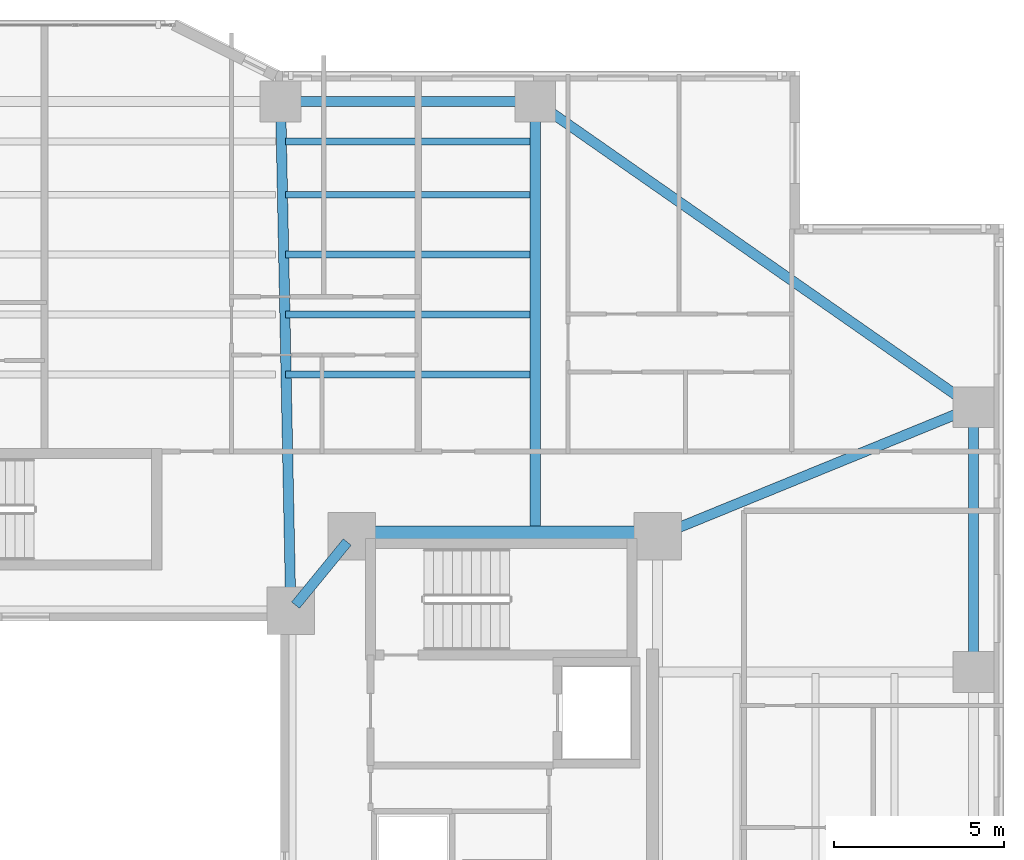
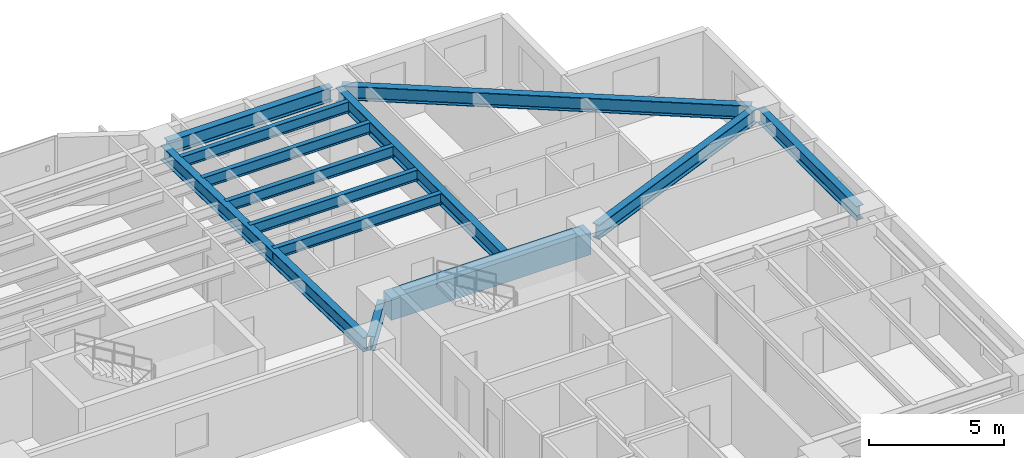
# One storey, part 7 of 21: 13 beams.
"""IFC4 building model written with IfcOpenShell, lengths in metres."""

from ifc_helpers import new_model, si_unit, direction, frame, origin, origin_2d, place, context, subcontext, project, spatial, rectangle, i_section, extrude, material, material_profile, profile_set, type_object, element, save


model = new_model("IFC4")

# Units and contexts
model_context = context("Model", 3, precision=1e-05, world=origin(), true_north=direction((0.0, 1.0)))
body_context = subcontext(model_context, "Body", "Model", "MODEL_VIEW")
ifc_project = project(units=[si_unit("LENGTHUNIT", "METRE"), si_unit("AREAUNIT", "SQUARE_METRE"), si_unit("VOLUMEUNIT", "CUBIC_METRE"), si_unit("PLANEANGLEUNIT", "RADIAN"), si_unit("MASSUNIT", "GRAM", prefix="KILO")], contexts=[model_context])

# Site, building, storey
site_placement = place(None, origin())
site = spatial("IfcSite", under=ifc_project, at=site_placement, CompositionType="ELEMENT")
building_placement = place(site_placement, origin())
building = spatial("IfcBuilding", under=site, at=building_placement, Name="Tarnavaz Court Tower", CompositionType="ELEMENT")
storey_placement = place(building_placement, frame((0.0, 0.0, 24.0)))
storey = spatial("IfcBuildingStorey", under=building, at=storey_placement, Name="L05", CompositionType="ELEMENT", Elevation=24.0)

# Beams
ifc_material_1 = material(Name="Concrete C60/75", Category="concrete")
ifc_material_profile_1 = material_profile(ifc_material_1, rectangle(XDim=0.60009765625, YDim=1.0, at=origin_2d()), Name="RC 600X1000")
ifc_profile_set_1 = profile_set([ifc_material_profile_1], Name="Concrete C60/75")
beam_type_1 = type_object("IfcBeamType", Name="BM-CB1000", PredefinedType="LINTEL", material=ifc_profile_set_1)
beam_1_placement = place(storey_placement, frame((18.3798828125, 10.0, 2.60009765625), z_axis=(-1.0, 0.0, 0.0), x_axis=(0.0, -1.0, 0.0)))
element("IfcBeam", 1, at=beam_1_placement, inside=storey, type_object=beam_type_1, Name="L05 Beam IN-CE-NO-CE-NI", PredefinedType="LINTEL", context=body_context, shape_type="SweptSolid", body=[
    extrude(rectangle(XDim=0.60009765625, YDim=1.0, at=origin_2d()), origin(), (0.0, 0.0, 1.0), 8.559814453125),
])
ifc_material_2 = material(Name="Steel S355", Category="steel")
ifc_material_profile_2 = material_profile(ifc_material_2, i_section(OverallWidth=0.300048828125, OverallDepth=0.64990234375, WebThickness=0.01611328125, FlangeThickness=0.031005859375, FilletRadius=0.027099609375, at=origin_2d()), Name="HEB 650")
ifc_profile_set_2 = profile_set([ifc_material_profile_2], Name="Steel S355")
beam_type_2 = type_object("IfcBeamType", Name="BM-G-HEB650", PredefinedType="USERDEFINED", material=ifc_profile_set_2)
beam_2_placement = place(storey_placement, frame((9.460693359375, 9.82958984375, 2.77490234375), z_axis=(-0.633282058357, -0.773921077735, 0.0), x_axis=(0.773921077735, -0.633282058357, 0.0)))
element("IfcBeam", 2, at=beam_2_placement, inside=storey, type_object=beam_type_2, Name="L05 Beam IN-CE-NI-IW-NE", ObjectType="GIRDER", PredefinedType="USERDEFINED", context=body_context, shape_type="SweptSolid", body=[
    extrude(i_section(OverallWidth=0.300048828125, OverallDepth=0.64990234375, WebThickness=0.01611328125, FlangeThickness=0.031005859375, FilletRadius=0.027099609375, at=origin_2d()), origin(), (0.0, 0.0, 1.0), 2.402587890625),
])
beam_3_placement = place(storey_placement, frame((7.795654296875, 8.02001953125, 2.77490234375), z_axis=(-0.020000023066, 0.999799979535, 0.0), x_axis=(-0.999799979535, -0.020000023066, 0.0)))
element("IfcBeam", 3, at=beam_3_placement, inside=storey, type_object=beam_type_2, Name="L05 Beam RG-03", ObjectType="GIRDER", PredefinedType="USERDEFINED", context=body_context, shape_type="SweptSolid", body=[
    extrude(i_section(OverallWidth=0.300048828125, OverallDepth=0.64990234375, WebThickness=0.01611328125, FlangeThickness=0.031005859375, FilletRadius=0.027099609375, at=origin_2d()), origin(), (0.0, 0.0, 1.0), 14.56298828125),
])
beam_4_placement = place(storey_placement, frame((15.0, 10.0400390625, 2.77490234375), z_axis=(0.0, 1.0, 0.0), x_axis=(-1.0, 0.0, 0.0)))
element("IfcBeam", 4, at=beam_4_placement, inside=storey, type_object=beam_type_2, Name="L05 Beam RG-04", ObjectType="GIRDER", PredefinedType="USERDEFINED", context=body_context, shape_type="SweptSolid", body=[
    extrude(i_section(OverallWidth=0.300048828125, OverallDepth=0.64990234375, WebThickness=0.01611328125, FlangeThickness=0.031005859375, FilletRadius=0.027099609375, at=origin_2d()), origin(), (0.0, 0.0, 1.0), 12.5400390625),
])
beam_5_placement = place(storey_placement, frame((18.8037109375, 10.083251953125, 2.77490234375), z_axis=(0.925704761705, 0.378246869329, 0.0), x_axis=(-0.378246869329, 0.925704761705, 0.0)))
element("IfcBeam", 5, at=beam_5_placement, inside=storey, type_object=beam_type_2, Name="L05 Beam RG-12", ObjectType="GIRDER", PredefinedType="USERDEFINED", context=body_context, shape_type="SweptSolid", body=[
    extrude(i_section(OverallWidth=0.300048828125, OverallDepth=0.64990234375, WebThickness=0.01611328125, FlangeThickness=0.031005859375, FilletRadius=0.027099609375, at=origin_2d()), origin(), (0.0, 0.0, 1.0), 9.606201171875),
])
ifc_material_profile_3 = material_profile(ifc_material_2, i_section(OverallWidth=0.199951171875, OverallDepth=0.5, WebThickness=0.01025390625, FlangeThickness=0.01611328125, FilletRadius=0.02099609375, at=origin_2d()), Name="IPE 500")
ifc_profile_set_3 = profile_set([ifc_material_profile_3], Name="Steel S355")
beam_type_3 = type_object("IfcBeamType", Name="BM-J-IPE500", PredefinedType="JOIST", material=ifc_profile_set_3)
for number, where, z_axis, x_axis, name in (
    (6, (7.64990234375, 14.763916015625, 2.85009765625), (1.0, 0.0, 0.0), (0.0, 1.0, 0.0), "L05 Beam JN1-3"),
    (7, (7.64990234375, 16.528076171875, 2.85009765625), (1.0, 0.0, 0.0), (0.0, 1.0, 0.0), "L05 Beam JN2-3"),
    (8, (7.64990234375, 18.2919921875, 2.85009765625), (1.0, 0.0, 0.0), (0.0, 1.0, 0.0), "L05 Beam JN3-3"),
    (9, (7.64990234375, 20.055908203125, 2.85009765625), (1.0, 0.0, 0.0), (0.0, 1.0, 0.0), "L05 Beam JN4-3"),
    (10, (7.64990234375, 21.6240234375, 2.85009765625), (1.0, 0.0, 0.0), (0.0, 1.0, 0.0), "L05 Beam JN5-3"),
):
    element("IfcBeam", number, at=place(storey_placement, frame(where, z_axis=z_axis, x_axis=x_axis)), inside=storey, type_object=beam_type_3, Name=name, PredefinedType="JOIST", context=body_context, shape_type="SweptSolid", body=[
        extrude(i_section(OverallWidth=0.199951171875, OverallDepth=0.5, WebThickness=0.01025390625, FlangeThickness=0.01611328125, FilletRadius=0.02099609375, at=origin_2d()), origin(), (0.0, 0.0, 1.0), 7.2001953125),
    ])
ifc_material_profile_4 = material_profile(ifc_material_2, i_section(OverallWidth=0.300048828125, OverallDepth=0.639892578125, WebThickness=0.013427734375, FlangeThickness=0.02587890625, FilletRadius=0.027099609375, at=origin_2d()), Name="HEA 650")
ifc_profile_set_4 = profile_set([ifc_material_profile_4], Name="Steel S355")
beam_type_4 = type_object("IfcBeamType", Name="BM-SP-HEA650", PredefinedType="SPANDREL", material=ifc_profile_set_4)
beam_6_placement = place(storey_placement, frame((7.719970703125, 22.800048828125, 2.780029296875), z_axis=(1.0, 0.0, 0.0), x_axis=(0.0, 1.0, 0.0)))
element("IfcBeam", 11, at=beam_6_placement, inside=storey, type_object=beam_type_4, Name="L05 Beam PR-PN-3-PN-4", PredefinedType="SPANDREL", context=body_context, shape_type="SweptSolid", body=[
    extrude(i_section(OverallWidth=0.300048828125, OverallDepth=0.639892578125, WebThickness=0.013427734375, FlangeThickness=0.02587890625, FilletRadius=0.027099609375, at=origin_2d()), origin(), (0.0, 0.0, 1.0), 7.06005859375),
])
beam_7_placement = place(storey_placement, frame((27.89990234375, 6.219970703125, 2.780029296875), z_axis=(0.0, 1.0, 0.0), x_axis=(-1.0, 0.0, 0.0)))
element("IfcBeam", 12, at=beam_7_placement, inside=storey, type_object=beam_type_4, Name="L05 Beam PR-PE-3-PE-4", PredefinedType="SPANDREL", context=body_context, shape_type="SweptSolid", body=[
    extrude(i_section(OverallWidth=0.300048828125, OverallDepth=0.639892578125, WebThickness=0.013427734375, FlangeThickness=0.02587890625, FilletRadius=0.027099609375, at=origin_2d()), origin(), (0.0, 0.0, 1.0), 7.360107421875),
])
beam_8_placement = place(storey_placement, frame((15.180419921875, 22.674072265625, 2.780029296875), z_axis=(0.820123643324, -0.572186341729, 0.0), x_axis=(0.572186341729, 0.820123643324, 0.0)))
element("IfcBeam", 13, at=beam_8_placement, inside=storey, type_object=beam_type_4, Name="L05 Beam PR-PN-4-PE-4", PredefinedType="SPANDREL", context=body_context, shape_type="SweptSolid", body=[
    extrude(i_section(OverallWidth=0.300048828125, OverallDepth=0.639892578125, WebThickness=0.013427734375, FlangeThickness=0.02587890625, FilletRadius=0.027099609375, at=origin_2d()), origin(), (0.0, 0.0, 1.0), 15.289306640625),
])

save(model, "model.ifc")
